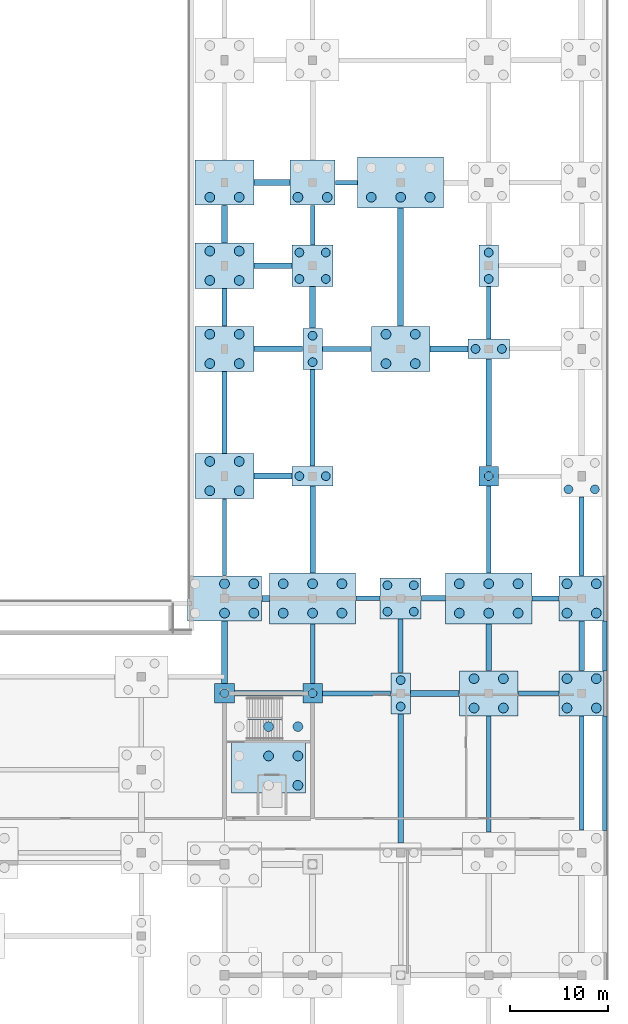
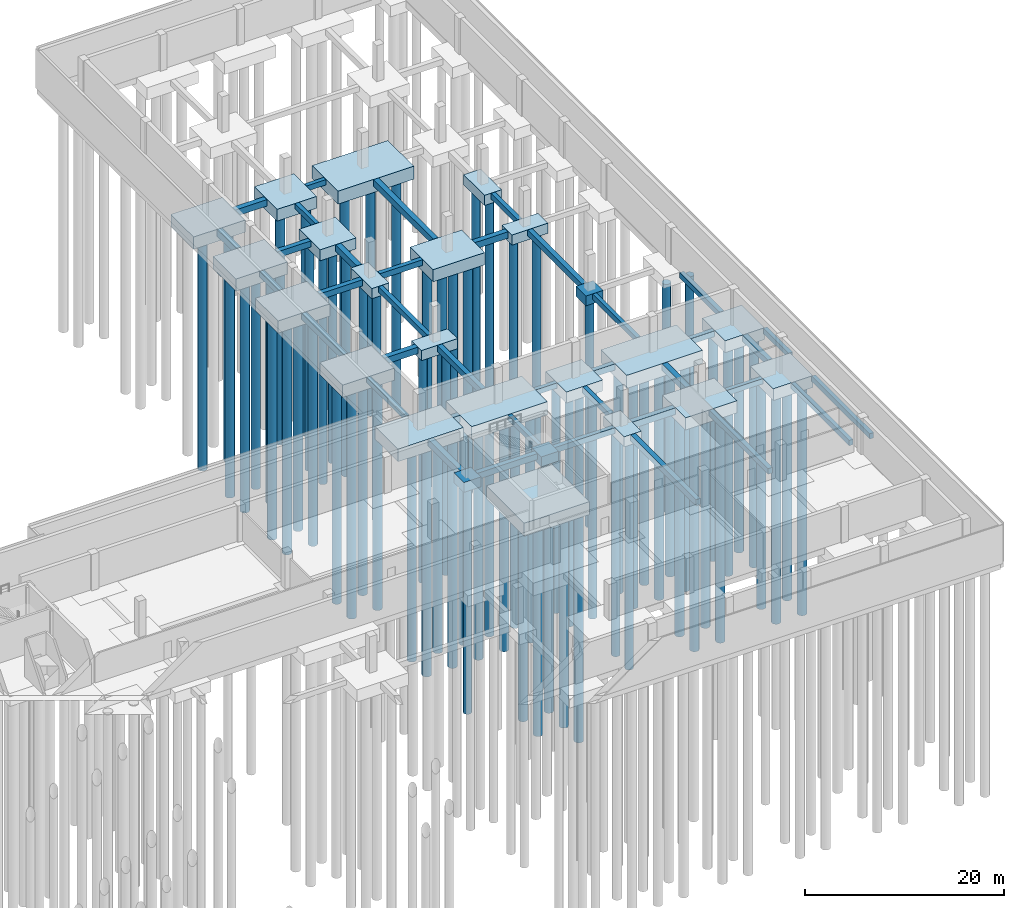
# One storey, part 6 of 25: 79 piles, 62 footings.
"""IFC4 building model written with IfcOpenShell, lengths in metres."""

from ifc_helpers import new_model, si_unit, direction, frame, origin, origin_2d, place, context, subcontext, project, spatial, rectangle, circle, extrude, material, material_profile, profile_set, type_object, element, save


model = new_model("IFC4")

# Units and contexts
model_context = context("Model", 3, precision=1e-05, world=origin(), true_north=direction((0.0, 1.0)))
body_context = subcontext(model_context, "Body", "Model", "MODEL_VIEW")
ifc_project = project(units=[si_unit("LENGTHUNIT", "METRE"), si_unit("AREAUNIT", "SQUARE_METRE"), si_unit("VOLUMEUNIT", "CUBIC_METRE"), si_unit("PLANEANGLEUNIT", "RADIAN"), si_unit("MASSUNIT", "GRAM", prefix="KILO")], contexts=[model_context])

# Site, building, storey
site_placement = place(None, origin())
site = spatial("IfcSite", under=ifc_project, at=site_placement, CompositionType="ELEMENT")
building_placement = place(site_placement, origin())
building = spatial("IfcBuilding", under=site, at=building_placement, Name="Solvikara Media Centre", CompositionType="ELEMENT")
storey_placement = place(building_placement, frame((0.0, 0.0, -4.800048828125)))
storey = spatial("IfcBuildingStorey", under=building, at=storey_placement, Name="B01", CompositionType="ELEMENT", Elevation=-4.800048828125)

# Piles
ifc_material = material(Name="Concrete fc' 35 MPa (C35/45)", Category="concrete")
ifc_material_profile_1 = material_profile(ifc_material, circle(Radius=0.449951171875, at=origin_2d()), Name="BORED PILE D900")
ifc_profile_set_1 = profile_set([ifc_material_profile_1], Name="Concrete fc' 35 MPa (C35/45)")
pile_type_1 = type_object("IfcPileType", Name="BP-01", PredefinedType="BORED", material=ifc_profile_set_1)
for number, where, z_axis, x_axis, name in (
    (1, (127.5, 36.800048828125, -1.099853515625), (0.0, 0.0, -1.0), (1.0, 0.0, 0.0), "PL-096-01"),
    (2, (136.5, 36.800048828125, -1.099853515625), (0.0, 0.0, -1.0), (1.0, 0.0, 0.0), "PL-100-01"),
    (3, (145.5, 35.449951171875, -1.14990234375), (0.0, 0.0, -1.0), (1.0, 0.0, 0.0), "PL-105-01"),
    (4, (145.5, 38.14990234375, -1.14990234375), (0.0, 0.0, -1.0), (1.0, 0.0, 0.0), "PL-105-02"),
    (5, (144.14990234375, 45.14990234375, -1.25), (0.0, 0.0, -1.0), (1.0, 0.0, 0.0), "PL-106-01"),
    (6, (146.85009765625, 45.14990234375, -1.25), (0.0, 0.0, -1.0), (1.0, 0.0, 0.0), "PL-106-02"),
    (7, (144.14990234375, 47.85009765625, -1.25), (0.0, 0.0, -1.0), (1.0, 0.0, 0.0), "PL-106-03"),
    (8, (146.85009765625, 47.85009765625, -1.25), (0.0, 0.0, -1.0), (1.0, 0.0, 0.0), "PL-106-04"),
    (9, (135.14990234375, 59.0, -1.14990234375), (0.0, 0.0, -1.0), (1.0, 0.0, 0.0), "PL-125-01"),
    (10, (137.85009765625, 59.0, -1.14990234375), (0.0, 0.0, -1.0), (1.0, 0.0, 0.0), "PL-125-02"),
    (11, (136.5, 70.64990234375, -1.14990234375), (0.0, 0.0, -1.0), (1.0, 0.0, 0.0), "PL-126-01"),
    (12, (136.5, 73.35009765625, -1.14990234375), (0.0, 0.0, -1.0), (1.0, 0.0, 0.0), "PL-126-02"),
    (13, (135.14990234375, 79.14990234375, -1.25), (0.0, 0.0, -1.0), (1.0, 0.0, 0.0), "PL-127-01"),
    (14, (137.85009765625, 79.14990234375, -1.25), (0.0, 0.0, -1.0), (1.0, 0.0, 0.0), "PL-127-02"),
    (15, (135.14990234375, 81.85009765625, -1.25), (0.0, 0.0, -1.0), (1.0, 0.0, 0.0), "PL-127-03"),
    (16, (137.85009765625, 81.85009765625, -1.25), (0.0, 0.0, -1.0), (1.0, 0.0, 0.0), "PL-127-04"),
    (17, (154.5, 59.0, -1.099853515625), (0.0, 0.0, -1.0), (1.0, 0.0, 0.0), "PL-134-01"),
    (18, (153.14990234375, 72.0, -1.14990234375), (0.0, 0.0, -1.0), (1.0, 0.0, 0.0), "PL-135-01"),
    (19, (155.85009765625, 72.0, -1.14990234375), (0.0, 0.0, -1.0), (1.0, 0.0, 0.0), "PL-135-02"),
    (20, (154.5, 79.14990234375, -1.14990234375), (0.0, 0.0, -1.0), (1.0, 0.0, 0.0), "PL-136-01"),
    (21, (154.5, 81.85009765625, -1.14990234375), (0.0, 0.0, -1.0), (1.0, 0.0, 0.0), "PL-136-02"),
    (22, (162.64990234375, 57.64990234375, -1.25), (0.0, 0.0, -1.0), (1.0, 0.0, 0.0), "PL-140-01"),
    (23, (165.35009765625, 57.64990234375, -1.25), (0.0, 0.0, -1.0), (1.0, 0.0, 0.0), "PL-140-02"),
):
    element("IfcPile", number, at=place(storey_placement, frame(where, z_axis=z_axis, x_axis=x_axis)), inside=storey, type_object=pile_type_1, Name=name, PredefinedType="BORED", context=body_context, shape_type="SweptSolid", body=[
        extrude(circle(Radius=0.449951171875, at=origin_2d()), origin(), (0.0, 0.0, 1.0), 28.0),
    ])
ifc_material_profile_2 = material_profile(ifc_material, circle(Radius=0.5, at=origin_2d()), Name="BORED PILE D1000")
ifc_profile_set_2 = profile_set([ifc_material_profile_2], Name="Concrete fc' 35 MPa (C35/45)")
pile_type_2 = type_object("IfcPileType", Name="BP-02", PredefinedType="BORED", material=ifc_profile_set_2)
for number, where, z_axis, x_axis, name in (
    (24, (132.0, 30.39990234375, -1.5), (0.0, 0.0, -1.0), (1.0, 0.0, 0.0), "PL-C4-05"),
    (25, (132.0, 33.39990234375, -1.5), (0.0, 0.0, -1.0), (1.0, 0.0, 0.0), "PL-C4-06"),
    (26, (135.0, 27.39990234375, -1.5), (0.0, 0.0, -1.0), (1.0, 0.0, 0.0), "PL-C4-07"),
    (27, (135.0, 30.39990234375, -1.5), (0.0, 0.0, -1.0), (1.0, 0.0, 0.0), "PL-C4-08"),
    (28, (135.0, 33.39990234375, -1.5), (0.0, 0.0, -1.0), (1.0, 0.0, 0.0), "PL-C4-09"),
    (29, (127.5, 45.0, -1.449951171875), (0.0, 0.0, -1.0), (1.0, 0.0, 0.0), "PL-097-02"),
    (30, (130.5, 45.0, -1.449951171875), (0.0, 0.0, -1.0), (1.0, 0.0, 0.0), "PL-097-03"),
    (31, (127.5, 48.0, -1.449951171875), (0.0, 0.0, -1.0), (1.0, 0.0, 0.0), "PL-097-05"),
    (32, (130.5, 48.0, -1.449951171875), (0.0, 0.0, -1.0), (1.0, 0.0, 0.0), "PL-097-06"),
    (33, (133.5, 45.0, -1.5), (0.0, 0.0, -1.0), (1.0, 0.0, 0.0), "PL-101-01"),
    (34, (136.5, 45.0, -1.5), (0.0, 0.0, -1.0), (1.0, 0.0, 0.0), "PL-101-02"),
    (35, (139.5, 45.0, -1.5), (0.0, 0.0, -1.0), (1.0, 0.0, 0.0), "PL-101-03"),
    (36, (133.5, 48.0, -1.5), (0.0, 0.0, -1.0), (1.0, 0.0, 0.0), "PL-101-04"),
    (37, (136.5, 48.0, -1.5), (0.0, 0.0, -1.0), (1.0, 0.0, 0.0), "PL-101-05"),
    (38, (139.5, 48.0, -1.5), (0.0, 0.0, -1.0), (1.0, 0.0, 0.0), "PL-101-06"),
    (39, (153.0, 35.300048828125, -1.39990234375), (0.0, 0.0, -1.0), (1.0, 0.0, 0.0), "PL-110-01"),
    (40, (156.0, 35.300048828125, -1.39990234375), (0.0, 0.0, -1.0), (1.0, 0.0, 0.0), "PL-110-02"),
    (41, (153.0, 38.300048828125, -1.39990234375), (0.0, 0.0, -1.0), (1.0, 0.0, 0.0), "PL-110-03"),
    (42, (156.0, 38.300048828125, -1.39990234375), (0.0, 0.0, -1.0), (1.0, 0.0, 0.0), "PL-110-04"),
    (43, (151.5, 45.0, -1.5), (0.0, 0.0, -1.0), (1.0, 0.0, 0.0), "PL-111-01"),
    (44, (154.5, 45.0, -1.5), (0.0, 0.0, -1.0), (1.0, 0.0, 0.0), "PL-111-02"),
    (45, (157.5, 45.0, -1.5), (0.0, 0.0, -1.0), (1.0, 0.0, 0.0), "PL-111-03"),
    (46, (151.5, 48.0, -1.5), (0.0, 0.0, -1.0), (1.0, 0.0, 0.0), "PL-111-04"),
    (47, (154.5, 48.0, -1.5), (0.0, 0.0, -1.0), (1.0, 0.0, 0.0), "PL-111-05"),
    (48, (157.5, 48.0, -1.5), (0.0, 0.0, -1.0), (1.0, 0.0, 0.0), "PL-111-06"),
    (49, (162.5, 35.300048828125, -1.349853515625), (0.0, 0.0, -1.0), (1.0, 0.0, 0.0), "PL-115-01"),
    (50, (165.5, 35.300048828125, -1.349853515625), (0.0, 0.0, -1.0), (1.0, 0.0, 0.0), "PL-115-02"),
    (51, (162.5, 38.300048828125, -1.349853515625), (0.0, 0.0, -1.0), (1.0, 0.0, 0.0), "PL-115-03"),
    (52, (165.5, 38.300048828125, -1.349853515625), (0.0, 0.0, -1.0), (1.0, 0.0, 0.0), "PL-115-04"),
    (53, (162.5, 45.0, -1.349853515625), (0.0, 0.0, -1.0), (1.0, 0.0, 0.0), "PL-116-01"),
    (54, (165.5, 45.0, -1.349853515625), (0.0, 0.0, -1.0), (1.0, 0.0, 0.0), "PL-116-02"),
    (55, (162.5, 48.0, -1.349853515625), (0.0, 0.0, -1.0), (1.0, 0.0, 0.0), "PL-116-03"),
    (56, (165.5, 48.0, -1.349853515625), (0.0, 0.0, -1.0), (1.0, 0.0, 0.0), "PL-116-04"),
    (57, (126.0, 57.5, -1.39990234375), (0.0, 0.0, -1.0), (1.0, 0.0, 0.0), "PL-119-01"),
    (58, (129.0, 57.5, -1.39990234375), (0.0, 0.0, -1.0), (1.0, 0.0, 0.0), "PL-119-02"),
    (59, (126.0, 60.5, -1.39990234375), (0.0, 0.0, -1.0), (1.0, 0.0, 0.0), "PL-119-03"),
    (60, (129.0, 60.5, -1.39990234375), (0.0, 0.0, -1.0), (1.0, 0.0, 0.0), "PL-119-04"),
    (61, (126.0, 70.5, -1.39990234375), (0.0, 0.0, -1.0), (1.0, 0.0, 0.0), "PL-120-01"),
    (62, (129.0, 70.5, -1.39990234375), (0.0, 0.0, -1.0), (1.0, 0.0, 0.0), "PL-120-02"),
    (63, (126.0, 73.5, -1.39990234375), (0.0, 0.0, -1.0), (1.0, 0.0, 0.0), "PL-120-03"),
    (64, (129.0, 73.5, -1.39990234375), (0.0, 0.0, -1.0), (1.0, 0.0, 0.0), "PL-120-04"),
    (65, (126.0, 79.0, -1.39990234375), (0.0, 0.0, -1.0), (1.0, 0.0, 0.0), "PL-121-01"),
    (66, (129.0, 79.0, -1.39990234375), (0.0, 0.0, -1.0), (1.0, 0.0, 0.0), "PL-121-02"),
    (67, (126.0, 82.0, -1.39990234375), (0.0, 0.0, -1.0), (1.0, 0.0, 0.0), "PL-121-03"),
    (68, (129.0, 82.0, -1.39990234375), (0.0, 0.0, -1.0), (1.0, 0.0, 0.0), "PL-121-04"),
    (69, (126.0, 87.5, -1.39990234375), (0.0, 0.0, -1.0), (1.0, 0.0, 0.0), "PL-122-01"),
    (70, (129.0, 87.5, -1.39990234375), (0.0, 0.0, -1.0), (1.0, 0.0, 0.0), "PL-122-02"),
    (71, (135.0, 87.5, -1.349853515625), (0.0, 0.0, -1.0), (1.0, 0.0, 0.0), "PL-128-01"),
    (72, (138.0, 87.5, -1.349853515625), (0.0, 0.0, -1.0), (1.0, 0.0, 0.0), "PL-128-02"),
    (73, (144.0, 70.5, -1.39990234375), (0.0, 0.0, -1.0), (1.0, 0.0, 0.0), "PL-131-01"),
    (74, (147.0, 70.5, -1.39990234375), (0.0, 0.0, -1.0), (1.0, 0.0, 0.0), "PL-131-02"),
    (75, (144.0, 73.5, -1.39990234375), (0.0, 0.0, -1.0), (1.0, 0.0, 0.0), "PL-131-03"),
    (76, (147.0, 73.5, -1.39990234375), (0.0, 0.0, -1.0), (1.0, 0.0, 0.0), "PL-131-04"),
    (77, (142.5, 87.5, -1.5), (0.0, 0.0, -1.0), (1.0, 0.0, 0.0), "PL-132-01"),
    (78, (145.5, 87.5, -1.5), (0.0, 0.0, -1.0), (1.0, 0.0, 0.0), "PL-132-02"),
    (79, (148.5, 87.5, -1.5), (0.0, 0.0, -1.0), (1.0, 0.0, 0.0), "PL-132-03"),
):
    element("IfcPile", number, at=place(storey_placement, frame(where, z_axis=z_axis, x_axis=x_axis)), inside=storey, type_object=pile_type_2, Name=name, PredefinedType="BORED", context=body_context, shape_type="SweptSolid", body=[
        extrude(circle(Radius=0.5, at=origin_2d()), origin(), (0.0, 0.0, 1.0), 28.0),
    ])

# Footings
footing_type_1 = type_object("IfcFootingType", Name="FT-01", PredefinedType="PILE_CAP", material=ifc_material)
for number, where, z_axis, x_axis, name in (
    (80, (127.5, 36.800048828125, -1.19970703125), (0.0, 0.0, 1.0), (1.0, 0.0, 0.0), "PC-096"),
    (81, (136.5, 36.800048828125, -1.19970703125), (0.0, 0.0, 1.0), (1.0, 0.0, 0.0), "PC-100"),
    (82, (154.5, 59.0, -1.19970703125), (0.0, 0.0, 1.0), (1.0, 0.0, 0.0), "PC-134"),
):
    element("IfcFooting", number, at=place(storey_placement, frame(where, z_axis=z_axis, x_axis=x_axis)), inside=storey, type_object=footing_type_1, Name=name, PredefinedType="PILE_CAP", context=body_context, shape_type="SweptSolid", body=[
        extrude(rectangle(XDim=2.0, YDim=2.0, at=origin_2d()), origin(), (0.0, 0.0, 1.0), 1.199951171875),
    ])
footing_type_2 = type_object("IfcFootingType", Name="FT-02", PredefinedType="PILE_CAP", material=ifc_material)
for number, where, z_axis, x_axis, name in (
    (83, (136.5, 59.0, -1.25), (0.0, 0.0, 1.0), (1.0, 0.0, 0.0), "PC-125"),
    (84, (154.5, 72.0, -1.25), (0.0, 0.0, 1.0), (1.0, 0.0, 0.0), "PC-135"),
):
    element("IfcFooting", number, at=place(storey_placement, frame(where, z_axis=z_axis, x_axis=x_axis)), inside=storey, type_object=footing_type_2, Name=name, PredefinedType="PILE_CAP", context=body_context, shape_type="SweptSolid", body=[
        extrude(rectangle(XDim=4.199951171875, YDim=2.0, at=origin_2d()), origin(), (0.0, 0.0, 1.0), 1.25),
    ])
footing_type_3 = type_object("IfcFootingType", Name="FT-03", PredefinedType="PILE_CAP", material=ifc_material)
for number, where, z_axis, x_axis, name in (
    (85, (145.5, 36.800048828125, -1.25), (0.0, 0.0, 1.0), (1.0, 0.0, 0.0), "PC-105"),
    (86, (136.5, 72.0, -1.25), (0.0, 0.0, 1.0), (1.0, 0.0, 0.0), "PC-126"),
    (87, (154.5, 80.5, -1.25), (0.0, 0.0, 1.0), (1.0, 0.0, 0.0), "PC-136"),
):
    element("IfcFooting", number, at=place(storey_placement, frame(where, z_axis=z_axis, x_axis=x_axis)), inside=storey, type_object=footing_type_3, Name=name, PredefinedType="PILE_CAP", context=body_context, shape_type="SweptSolid", body=[
        extrude(rectangle(XDim=2.0, YDim=4.199951171875, at=origin_2d()), origin(), (0.0, 0.0, 1.0), 1.25),
    ])
footing_type_4 = type_object("IfcFootingType", Name="FT-04", PredefinedType="PILE_CAP", material=ifc_material)
for number, where, z_axis, x_axis, name in (
    (88, (145.5, 46.5, -1.35009765625), (0.0, 0.0, 1.0), (1.0, 0.0, 0.0), "PC-106"),
    (89, (136.5, 80.5, -1.35009765625), (0.0, 0.0, 1.0), (1.0, 0.0, 0.0), "PC-127"),
):
    element("IfcFooting", number, at=place(storey_placement, frame(where, z_axis=z_axis, x_axis=x_axis)), inside=storey, type_object=footing_type_4, Name=name, PredefinedType="PILE_CAP", context=body_context, shape_type="SweptSolid", body=[
        extrude(rectangle(XDim=4.199951171875, YDim=4.199951171875, at=origin_2d()), origin(), (0.0, 0.0, 1.0), 1.35009765625),
    ])
footing_type_5 = type_object("IfcFootingType", Name="FT-05", PredefinedType="PILE_CAP", material=ifc_material)
for number, where, z_axis, x_axis, name in (
    (90, (164.0, 36.800048828125, -1.44970703125), (0.0, 0.0, 1.0), (1.0, 0.0, 0.0), "PC-115"),
    (91, (164.0, 46.5, -1.44970703125), (0.0, 0.0, 1.0), (1.0, 0.0, 0.0), "PC-116"),
    (92, (136.5, 89.0, -1.44970703125), (0.0, 0.0, 1.0), (1.0, 0.0, 0.0), "PC-128"),
):
    element("IfcFooting", number, at=place(storey_placement, frame(where, z_axis=z_axis, x_axis=x_axis)), inside=storey, type_object=footing_type_5, Name=name, PredefinedType="PILE_CAP", context=body_context, shape_type="SweptSolid", body=[
        extrude(rectangle(XDim=4.60009765625, YDim=4.60009765625, at=origin_2d()), origin(), (0.0, 0.0, 1.0), 1.449951171875),
    ])
footing_type_6 = type_object("IfcFootingType", Name="FT-06", PredefinedType="PILE_CAP", material=ifc_material)
footing_1_placement = place(storey_placement, frame((127.5, 46.5, -1.5498046875), z_axis=(0.0, 0.0, 1.0), x_axis=(1.0, 0.0, 0.0)))
element("IfcFooting", 93, at=footing_1_placement, inside=storey, type_object=footing_type_6, Name="PC-097", PredefinedType="PILE_CAP", context=body_context, shape_type="SweptSolid", body=[
    extrude(rectangle(XDim=7.60009765625, YDim=4.60009765625, at=origin_2d()), origin(), (0.0, 0.0, 1.0), 1.550048828125),
])
footing_type_7 = type_object("IfcFootingType", Name="FT-07", PredefinedType="PILE_CAP", material=ifc_material)
footing_2_placement = place(storey_placement, frame((132.0, 30.39990234375, -1.60009765625), z_axis=(0.0, 0.0, 1.0), x_axis=(1.0, 0.0, 0.0)))
element("IfcFooting", 94, at=footing_2_placement, inside=storey, type_object=footing_type_7, Name="PC-C4", PredefinedType="PILE_CAP", context=body_context, shape_type="SweptSolid", body=[
    extrude(rectangle(XDim=7.60009765625, YDim=7.60009765625, at=origin_2d()), origin(), (0.0, 0.0, 1.0), 1.60009765625),
])
footing_type_8 = type_object("IfcFootingType", Name="FT-09", PredefinedType="PILE_CAP", material=ifc_material)
for number, where, z_axis, x_axis, name in (
    (95, (154.5, 36.800048828125, -1.5), (0.0, 0.0, 1.0), (1.0, 0.0, 0.0), "PC-110"),
    (96, (127.5, 59.0, -1.5), (0.0, 0.0, 1.0), (1.0, 0.0, 0.0), "PC-119"),
    (97, (127.5, 72.0, -1.5), (0.0, 0.0, 1.0), (1.0, 0.0, 0.0), "PC-120"),
    (98, (127.5, 80.5, -1.5), (0.0, 0.0, 1.0), (1.0, 0.0, 0.0), "PC-121"),
    (99, (127.5, 89.0, -1.5), (0.0, 0.0, 1.0), (1.0, 0.0, 0.0), "PC-122"),
    (100, (145.5, 72.0, -1.5), (0.0, 0.0, 1.0), (1.0, 0.0, 0.0), "PC-131"),
):
    element("IfcFooting", number, at=place(storey_placement, frame(where, z_axis=z_axis, x_axis=x_axis)), inside=storey, type_object=footing_type_8, Name=name, PredefinedType="PILE_CAP", context=body_context, shape_type="SweptSolid", body=[
        extrude(rectangle(XDim=6.0, YDim=4.60009765625, at=origin_2d()), origin(), (0.0, 0.0, 1.0), 1.5),
    ])
footing_type_9 = type_object("IfcFootingType", Name="FT-10", PredefinedType="PILE_CAP", material=ifc_material)
for number, where, z_axis, x_axis, name in (
    (101, (136.5, 46.5, -1.60009765625), (0.0, 0.0, 1.0), (1.0, 0.0, 0.0), "PC-101"),
    (102, (154.5, 46.5, -1.60009765625), (0.0, 0.0, 1.0), (1.0, 0.0, 0.0), "PC-111"),
    (103, (145.5, 89.0, -1.60009765625), (0.0, 0.0, 1.0), (1.0, 0.0, 0.0), "PC-132"),
):
    element("IfcFooting", number, at=place(storey_placement, frame(where, z_axis=z_axis, x_axis=x_axis)), inside=storey, type_object=footing_type_9, Name=name, PredefinedType="PILE_CAP", context=body_context, shape_type="SweptSolid", body=[
        extrude(rectangle(XDim=8.800048828125, YDim=5.199951171875, at=origin_2d()), origin(), (0.0, 0.0, 1.0), 1.60009765625),
    ])
ifc_material_profile_3 = material_profile(ifc_material, rectangle(XDim=0.5, YDim=0.699951171875, at=origin_2d()), Name="RC 500x700")
ifc_profile_set_3 = profile_set([ifc_material_profile_3], Name="Concrete fc' 35 MPa (C35/45)")
footing_type_10 = type_object("IfcFootingType", Name="FT-11", PredefinedType="FOOTING_BEAM", material=ifc_profile_set_3)
footing_3_placement = place(storey_placement, frame((137.52001953125, 36.800048828125, -0.349853515625), z_axis=(1.0, 0.0, 0.0), x_axis=(0.0, 1.0, 0.0)))
element("IfcFooting", 104, at=footing_3_placement, inside=storey, type_object=footing_type_10, Name="FTB-053", PredefinedType="FOOTING_BEAM", context=body_context, shape_type="SweptSolid", body=[
    extrude(rectangle(XDim=0.5, YDim=0.699951171875, at=origin_2d()), origin(), (0.0, 0.0, 1.0), 6.9599609375),
])
footing_4_placement = place(storey_placement, frame((158.919921875, 46.5, -0.349853515625), z_axis=(1.0, 0.0, 0.0), x_axis=(0.0, 1.0, 0.0)))
element("IfcFooting", 105, at=footing_4_placement, inside=storey, type_object=footing_type_10, Name="FTB-065", PredefinedType="FOOTING_BEAM", context=body_context, shape_type="SweptSolid", body=[
    extrude(rectangle(XDim=0.5, YDim=0.699951171875, at=origin_2d()), origin(), (0.0, 0.0, 1.0), 2.760009765625),
])
footing_5_placement = place(storey_placement, frame((137.52001953125, 72.0, -0.349853515625), z_axis=(1.0, 0.0, 0.0), x_axis=(0.0, 1.0, 0.0)))
element("IfcFooting", 106, at=footing_5_placement, inside=storey, type_object=footing_type_10, Name="FTB-077", PredefinedType="FOOTING_BEAM", context=body_context, shape_type="SweptSolid", body=[
    extrude(rectangle(XDim=0.5, YDim=0.699951171875, at=origin_2d()), origin(), (0.0, 0.0, 1.0), 4.9599609375),
])
footing_6_placement = place(storey_placement, frame((127.5, 74.320068359375, -0.349853515625), z_axis=(0.0, 1.0, 0.0), x_axis=(-1.0, 0.0, 0.0)))
element("IfcFooting", 107, at=footing_6_placement, inside=storey, type_object=footing_type_10, Name="FTB-185", PredefinedType="FOOTING_BEAM", context=body_context, shape_type="SweptSolid", body=[
    extrude(rectangle(XDim=0.5, YDim=0.699951171875, at=origin_2d()), origin(), (0.0, 0.0, 1.0), 3.85986328125),
])
footing_7_placement = place(storey_placement, frame((136.5, 60.02001953125, -0.349853515625), z_axis=(0.0, 1.0, 0.0), x_axis=(-1.0, 0.0, 0.0)))
element("IfcFooting", 108, at=footing_7_placement, inside=storey, type_object=footing_type_10, Name="FTB-193", PredefinedType="FOOTING_BEAM", context=body_context, shape_type="SweptSolid", body=[
    extrude(rectangle(XDim=0.5, YDim=0.699951171875, at=origin_2d()), origin(), (0.0, 0.0, 1.0), 9.85986328125),
])
footing_8_placement = place(storey_placement, frame((145.5, 38.919921875, -0.349853515625), z_axis=(0.0, 1.0, 0.0), x_axis=(-1.0, 0.0, 0.0)))
element("IfcFooting", 109, at=footing_8_placement, inside=storey, type_object=footing_type_10, Name="FTB-201", PredefinedType="FOOTING_BEAM", context=body_context, shape_type="SweptSolid", body=[
    extrude(rectangle(XDim=0.5, YDim=0.699951171875, at=origin_2d()), origin(), (0.0, 0.0, 1.0), 5.4599609375),
])
footing_9_placement = place(storey_placement, frame((154.5, 22.6201171875, -0.349853515625), z_axis=(0.0, 1.0, 0.0), x_axis=(-1.0, 0.0, 0.0)))
element("IfcFooting", 110, at=footing_9_placement, inside=storey, type_object=footing_type_10, Name="FTB-205", PredefinedType="FOOTING_BEAM", context=body_context, shape_type="SweptSolid", body=[
    extrude(rectangle(XDim=0.5, YDim=0.699951171875, at=origin_2d()), origin(), (0.0, 0.0, 1.0), 11.85986328125),
])
footing_10_placement = place(storey_placement, frame((154.5, 73.02001953125, -0.349853515625), z_axis=(0.0, 1.0, 0.0), x_axis=(-1.0, 0.0, 0.0)))
element("IfcFooting", 111, at=footing_10_placement, inside=storey, type_object=footing_type_10, Name="FTB-209", PredefinedType="FOOTING_BEAM", context=body_context, shape_type="SweptSolid", body=[
    extrude(rectangle(XDim=0.5, YDim=0.699951171875, at=origin_2d()), origin(), (0.0, 0.0, 1.0), 5.35986328125),
])
footing_11_placement = place(storey_placement, frame((164.0, 48.820068359375, -0.349853515625), z_axis=(0.0, 1.0, 0.0), x_axis=(-1.0, 0.0, 0.0)))
element("IfcFooting", 112, at=footing_11_placement, inside=storey, type_object=footing_type_10, Name="FTB-217", PredefinedType="FOOTING_BEAM", context=body_context, shape_type="SweptSolid", body=[
    extrude(rectangle(XDim=0.5, YDim=0.699951171875, at=origin_2d()), origin(), (0.0, 0.0, 1.0), 8.059814453125),
])
ifc_material_profile_4 = material_profile(ifc_material, rectangle(XDim=0.60009765625, YDim=0.800048828125, at=origin_2d()), Name="RC 600x800")
ifc_profile_set_4 = profile_set([ifc_material_profile_4], Name="Concrete fc' 35 MPa (C35/45)")
footing_type_11 = type_object("IfcFootingType", Name="FT-12", PredefinedType="FOOTING_BEAM", material=ifc_profile_set_4)
footing_12_placement = place(storey_placement, frame((146.52001953125, 36.800048828125, -0.39990234375), z_axis=(1.0, 0.0, 0.0), x_axis=(0.0, 1.0, 0.0)))
element("IfcFooting", 113, at=footing_12_placement, inside=storey, type_object=footing_type_11, Name="FTB-054", PredefinedType="FOOTING_BEAM", context=body_context, shape_type="SweptSolid", body=[
    extrude(rectangle(XDim=0.60009765625, YDim=0.800048828125, at=origin_2d()), origin(), (0.0, 0.0, 1.0), 4.9599609375),
])
footing_13_placement = place(storey_placement, frame((131.320068359375, 46.5, -0.39990234375), z_axis=(1.0, 0.0, 0.0), x_axis=(0.0, 1.0, 0.0)))
element("IfcFooting", 114, at=footing_13_placement, inside=storey, type_object=footing_type_11, Name="FTB-062", PredefinedType="FOOTING_BEAM", context=body_context, shape_type="SweptSolid", body=[
    extrude(rectangle(XDim=0.60009765625, YDim=0.800048828125, at=origin_2d()), origin(), (0.0, 0.0, 1.0), 0.760009765625),
])
for number, where, z_axis, x_axis, name in (
    (115, (130.52001953125, 59.0, -0.39990234375), (1.0, 0.0, 0.0), (0.0, 1.0, 0.0), "FTB-070"),
    (116, (148.52001953125, 72.0, -0.39990234375), (1.0, 0.0, 0.0), (0.0, 1.0, 0.0), "FTB-078"),
):
    element("IfcFooting", number, at=place(storey_placement, frame(where, z_axis=z_axis, x_axis=x_axis)), inside=storey, type_object=footing_type_11, Name=name, PredefinedType="FOOTING_BEAM", context=body_context, shape_type="SweptSolid", body=[
        extrude(rectangle(XDim=0.60009765625, YDim=0.800048828125, at=origin_2d()), origin(), (0.0, 0.0, 1.0), 3.85986328125),
    ])
footing_14_placement = place(storey_placement, frame((130.52001953125, 89.0, -0.39990234375), z_axis=(1.0, 0.0, 0.0), x_axis=(0.0, 1.0, 0.0)))
element("IfcFooting", 117, at=footing_14_placement, inside=storey, type_object=footing_type_11, Name="FTB-090", PredefinedType="FOOTING_BEAM", context=body_context, shape_type="SweptSolid", body=[
    extrude(rectangle(XDim=0.60009765625, YDim=0.800048828125, at=origin_2d()), origin(), (0.0, 0.0, 1.0), 3.659912109375),
])
footing_15_placement = place(storey_placement, frame((127.5, 37.820068359375, -0.39990234375), z_axis=(0.0, 1.0, 0.0), x_axis=(-1.0, 0.0, 0.0)))
element("IfcFooting", 118, at=footing_15_placement, inside=storey, type_object=footing_type_11, Name="FTB-182", PredefinedType="FOOTING_BEAM", context=body_context, shape_type="SweptSolid", body=[
    extrude(rectangle(XDim=0.60009765625, YDim=0.800048828125, at=origin_2d()), origin(), (0.0, 0.0, 1.0), 6.35986328125),
])
footing_16_placement = place(storey_placement, frame((127.5, 82.820068359375, -0.39990234375), z_axis=(0.0, 1.0, 0.0), x_axis=(-1.0, 0.0, 0.0)))
element("IfcFooting", 119, at=footing_16_placement, inside=storey, type_object=footing_type_11, Name="FTB-186", PredefinedType="FOOTING_BEAM", context=body_context, shape_type="SweptSolid", body=[
    extrude(rectangle(XDim=0.60009765625, YDim=0.800048828125, at=origin_2d()), origin(), (0.0, 0.0, 1.0), 3.85986328125),
])
footing_17_placement = place(storey_placement, frame((136.5, 74.1201171875, -0.39990234375), z_axis=(0.0, 1.0, 0.0), x_axis=(-1.0, 0.0, 0.0)))
element("IfcFooting", 120, at=footing_17_placement, inside=storey, type_object=footing_type_11, Name="FTB-194", PredefinedType="FOOTING_BEAM", context=body_context, shape_type="SweptSolid", body=[
    extrude(rectangle(XDim=0.60009765625, YDim=0.800048828125, at=origin_2d()), origin(), (0.0, 0.0, 1.0), 4.259765625),
])
footing_18_placement = place(storey_placement, frame((145.5, 74.320068359375, -0.39990234375), z_axis=(0.0, 1.0, 0.0), x_axis=(-1.0, 0.0, 0.0)))
element("IfcFooting", 121, at=footing_18_placement, inside=storey, type_object=footing_type_11, Name="FTB-202", PredefinedType="FOOTING_BEAM", context=body_context, shape_type="SweptSolid", body=[
    extrude(rectangle(XDim=0.60009765625, YDim=0.800048828125, at=origin_2d()), origin(), (0.0, 0.0, 1.0), 12.059814453125),
])
footing_19_placement = place(storey_placement, frame((154.5, 39.1201171875, -0.39990234375), z_axis=(0.0, 1.0, 0.0), x_axis=(-1.0, 0.0, 0.0)))
element("IfcFooting", 122, at=footing_19_placement, inside=storey, type_object=footing_type_11, Name="FTB-206", PredefinedType="FOOTING_BEAM", context=body_context, shape_type="SweptSolid", body=[
    extrude(rectangle(XDim=0.60009765625, YDim=0.800048828125, at=origin_2d()), origin(), (0.0, 0.0, 1.0), 4.759765625),
])
ifc_material_profile_5 = material_profile(ifc_material, rectangle(XDim=0.449951171875, YDim=0.64990234375, at=origin_2d()), Name="RC 450x650")
ifc_profile_set_5 = profile_set([ifc_material_profile_5], Name="Concrete fc' 35 MPa (C35/45)")
footing_type_12 = type_object("IfcFootingType", Name="FT-13", PredefinedType="FOOTING_BEAM", material=ifc_profile_set_5)
footing_20_placement = place(storey_placement, frame((157.52001953125, 36.800048828125, -0.324951171875), z_axis=(1.0, 0.0, 0.0), x_axis=(0.0, 1.0, 0.0)))
element("IfcFooting", 123, at=footing_20_placement, inside=storey, type_object=footing_type_12, Name="FTB-055", PredefinedType="FOOTING_BEAM", context=body_context, shape_type="SweptSolid", body=[
    extrude(rectangle(XDim=0.449951171875, YDim=0.64990234375, at=origin_2d()), origin(), (0.0, 0.0, 1.0), 4.159912109375),
])
footing_21_placement = place(storey_placement, frame((140.919921875, 46.5, -0.324951171875), z_axis=(1.0, 0.0, 0.0), x_axis=(0.0, 1.0, 0.0)))
element("IfcFooting", 124, at=footing_21_placement, inside=storey, type_object=footing_type_12, Name="FTB-063", PredefinedType="FOOTING_BEAM", context=body_context, shape_type="SweptSolid", body=[
    extrude(rectangle(XDim=0.449951171875, YDim=0.64990234375, at=origin_2d()), origin(), (0.0, 0.0, 1.0), 2.4599609375),
])
footing_22_placement = place(storey_placement, frame((138.820068359375, 89.0, -0.324951171875), z_axis=(1.0, 0.0, 0.0), x_axis=(0.0, 1.0, 0.0)))
element("IfcFooting", 125, at=footing_22_placement, inside=storey, type_object=footing_type_12, Name="FTB-091", PredefinedType="FOOTING_BEAM", context=body_context, shape_type="SweptSolid", body=[
    extrude(rectangle(XDim=0.449951171875, YDim=0.64990234375, at=origin_2d()), origin(), (0.0, 0.0, 1.0), 2.260009765625),
])
footing_23_placement = place(storey_placement, frame((127.5, 48.820068359375, -0.324951171875), z_axis=(0.0, 1.0, 0.0), x_axis=(-1.0, 0.0, 0.0)))
element("IfcFooting", 126, at=footing_23_placement, inside=storey, type_object=footing_type_12, Name="FTB-183", PredefinedType="FOOTING_BEAM", context=body_context, shape_type="SweptSolid", body=[
    extrude(rectangle(XDim=0.449951171875, YDim=0.64990234375, at=origin_2d()), origin(), (0.0, 0.0, 1.0), 7.85986328125),
])
footing_24_placement = place(storey_placement, frame((136.5, 37.820068359375, -0.324951171875), z_axis=(0.0, 1.0, 0.0), x_axis=(-1.0, 0.0, 0.0)))
element("IfcFooting", 127, at=footing_24_placement, inside=storey, type_object=footing_type_12, Name="FTB-191", PredefinedType="FOOTING_BEAM", context=body_context, shape_type="SweptSolid", body=[
    extrude(rectangle(XDim=0.449951171875, YDim=0.64990234375, at=origin_2d()), origin(), (0.0, 0.0, 1.0), 6.059814453125),
])
footing_25_placement = place(storey_placement, frame((136.5, 82.6201171875, -0.324951171875), z_axis=(0.0, 1.0, 0.0), x_axis=(-1.0, 0.0, 0.0)))
element("IfcFooting", 128, at=footing_25_placement, inside=storey, type_object=footing_type_12, Name="FTB-195", PredefinedType="FOOTING_BEAM", context=body_context, shape_type="SweptSolid", body=[
    extrude(rectangle(XDim=0.449951171875, YDim=0.64990234375, at=origin_2d()), origin(), (0.0, 0.0, 1.0), 4.059814453125),
])
footing_26_placement = place(storey_placement, frame((154.5, 49.1201171875, -0.324951171875), z_axis=(0.0, 1.0, 0.0), x_axis=(-1.0, 0.0, 0.0)))
element("IfcFooting", 129, at=footing_26_placement, inside=storey, type_object=footing_type_12, Name="FTB-207", PredefinedType="FOOTING_BEAM", context=body_context, shape_type="SweptSolid", body=[
    extrude(rectangle(XDim=0.449951171875, YDim=0.64990234375, at=origin_2d()), origin(), (0.0, 0.0, 1.0), 8.85986328125),
])
footing_27_placement = place(storey_placement, frame((164.0, 22.820068359375, -0.324951171875), z_axis=(0.0, 1.0, 0.0), x_axis=(-1.0, 0.0, 0.0)))
element("IfcFooting", 130, at=footing_27_placement, inside=storey, type_object=footing_type_12, Name="FTB-215", PredefinedType="FOOTING_BEAM", context=body_context, shape_type="SweptSolid", body=[
    extrude(rectangle(XDim=0.449951171875, YDim=0.64990234375, at=origin_2d()), origin(), (0.0, 0.0, 1.0), 11.659912109375),
])
footing_28_placement = place(storey_placement, frame((166.3798828125, 22.800048828125, -0.324951171875), z_axis=(0.0, 1.0, 0.0), x_axis=(-1.0, 0.0, 0.0)))
element("IfcFooting", 131, at=footing_28_placement, inside=storey, type_object=footing_type_12, Name="FTB-244", PredefinedType="FOOTING_BEAM", context=body_context, shape_type="SweptSolid", body=[
    extrude(rectangle(XDim=0.449951171875, YDim=0.64990234375, at=origin_2d()), origin(), (0.0, 0.0, 1.0), 11.699951171875),
])
footing_29_placement = place(storey_placement, frame((166.3798828125, 39.10009765625, -0.324951171875), z_axis=(0.0, 1.0, 0.0), x_axis=(-1.0, 0.0, 0.0)))
element("IfcFooting", 132, at=footing_29_placement, inside=storey, type_object=footing_type_12, Name="FTB-245", PredefinedType="FOOTING_BEAM", context=body_context, shape_type="SweptSolid", body=[
    extrude(rectangle(XDim=0.449951171875, YDim=0.64990234375, at=origin_2d()), origin(), (0.0, 0.0, 1.0), 5.099853515625),
])
ifc_material_profile_6 = material_profile(ifc_material, rectangle(XDim=0.550048828125, YDim=0.75, at=origin_2d()), Name="RC 550x750")
ifc_profile_set_6 = profile_set([ifc_material_profile_6], Name="Concrete fc' 35 MPa (C35/45)")
footing_type_13 = type_object("IfcFootingType", Name="FT-14", PredefinedType="FOOTING_BEAM", material=ifc_profile_set_6)
footing_30_placement = place(storey_placement, frame((128.52001953125, 36.800048828125, -0.375), z_axis=(1.0, 0.0, 0.0), x_axis=(0.0, 1.0, 0.0)))
element("IfcFooting", 133, at=footing_30_placement, inside=storey, type_object=footing_type_13, Name="FTB-052", PredefinedType="FOOTING_BEAM", context=body_context, shape_type="SweptSolid", body=[
    extrude(rectangle(XDim=0.550048828125, YDim=0.75, at=origin_2d()), origin(), (0.0, 0.0, 1.0), 6.9599609375),
])
footing_31_placement = place(storey_placement, frame((147.6201171875, 46.5, -0.375), z_axis=(1.0, 0.0, 0.0), x_axis=(0.0, 1.0, 0.0)))
element("IfcFooting", 134, at=footing_31_placement, inside=storey, type_object=footing_type_13, Name="FTB-064", PredefinedType="FOOTING_BEAM", context=body_context, shape_type="SweptSolid", body=[
    extrude(rectangle(XDim=0.550048828125, YDim=0.75, at=origin_2d()), origin(), (0.0, 0.0, 1.0), 2.4599609375),
])
footing_32_placement = place(storey_placement, frame((130.52001953125, 72.0, -0.375), z_axis=(1.0, 0.0, 0.0), x_axis=(0.0, 1.0, 0.0)))
element("IfcFooting", 135, at=footing_32_placement, inside=storey, type_object=footing_type_13, Name="FTB-076", PredefinedType="FOOTING_BEAM", context=body_context, shape_type="SweptSolid", body=[
    extrude(rectangle(XDim=0.550048828125, YDim=0.75, at=origin_2d()), origin(), (0.0, 0.0, 1.0), 4.9599609375),
])
footing_33_placement = place(storey_placement, frame((130.52001953125, 80.5, -0.375), z_axis=(1.0, 0.0, 0.0), x_axis=(0.0, 1.0, 0.0)))
element("IfcFooting", 136, at=footing_33_placement, inside=storey, type_object=footing_type_13, Name="FTB-084", PredefinedType="FOOTING_BEAM", context=body_context, shape_type="SweptSolid", body=[
    extrude(rectangle(XDim=0.550048828125, YDim=0.75, at=origin_2d()), origin(), (0.0, 0.0, 1.0), 3.85986328125),
])
footing_34_placement = place(storey_placement, frame((127.5, 61.320068359375, -0.375), z_axis=(0.0, 1.0, 0.0), x_axis=(-1.0, 0.0, 0.0)))
element("IfcFooting", 137, at=footing_34_placement, inside=storey, type_object=footing_type_13, Name="FTB-184", PredefinedType="FOOTING_BEAM", context=body_context, shape_type="SweptSolid", body=[
    extrude(rectangle(XDim=0.550048828125, YDim=0.75, at=origin_2d()), origin(), (0.0, 0.0, 1.0), 8.35986328125),
])
footing_35_placement = place(storey_placement, frame((136.5, 49.1201171875, -0.375), z_axis=(0.0, 1.0, 0.0), x_axis=(-1.0, 0.0, 0.0)))
element("IfcFooting", 138, at=footing_35_placement, inside=storey, type_object=footing_type_13, Name="FTB-192", PredefinedType="FOOTING_BEAM", context=body_context, shape_type="SweptSolid", body=[
    extrude(rectangle(XDim=0.550048828125, YDim=0.75, at=origin_2d()), origin(), (0.0, 0.0, 1.0), 8.85986328125),
])
footing_36_placement = place(storey_placement, frame((145.5, 21.52001953125, -0.375), z_axis=(0.0, 1.0, 0.0), x_axis=(-1.0, 0.0, 0.0)))
element("IfcFooting", 139, at=footing_36_placement, inside=storey, type_object=footing_type_13, Name="FTB-200", PredefinedType="FOOTING_BEAM", context=body_context, shape_type="SweptSolid", body=[
    extrude(rectangle(XDim=0.550048828125, YDim=0.75, at=origin_2d()), origin(), (0.0, 0.0, 1.0), 13.159912109375),
])
footing_37_placement = place(storey_placement, frame((154.5, 60.02001953125, -0.375), z_axis=(0.0, 1.0, 0.0), x_axis=(-1.0, 0.0, 0.0)))
element("IfcFooting", 140, at=footing_37_placement, inside=storey, type_object=footing_type_13, Name="FTB-208", PredefinedType="FOOTING_BEAM", context=body_context, shape_type="SweptSolid", body=[
    extrude(rectangle(XDim=0.550048828125, YDim=0.75, at=origin_2d()), origin(), (0.0, 0.0, 1.0), 10.9599609375),
])
footing_38_placement = place(storey_placement, frame((164.0, 39.1201171875, -0.375), z_axis=(0.0, 1.0, 0.0), x_axis=(-1.0, 0.0, 0.0)))
element("IfcFooting", 141, at=footing_38_placement, inside=storey, type_object=footing_type_13, Name="FTB-216", PredefinedType="FOOTING_BEAM", context=body_context, shape_type="SweptSolid", body=[
    extrude(rectangle(XDim=0.550048828125, YDim=0.75, at=origin_2d()), origin(), (0.0, 0.0, 1.0), 5.059814453125),
])

save(model, "model.ifc")
